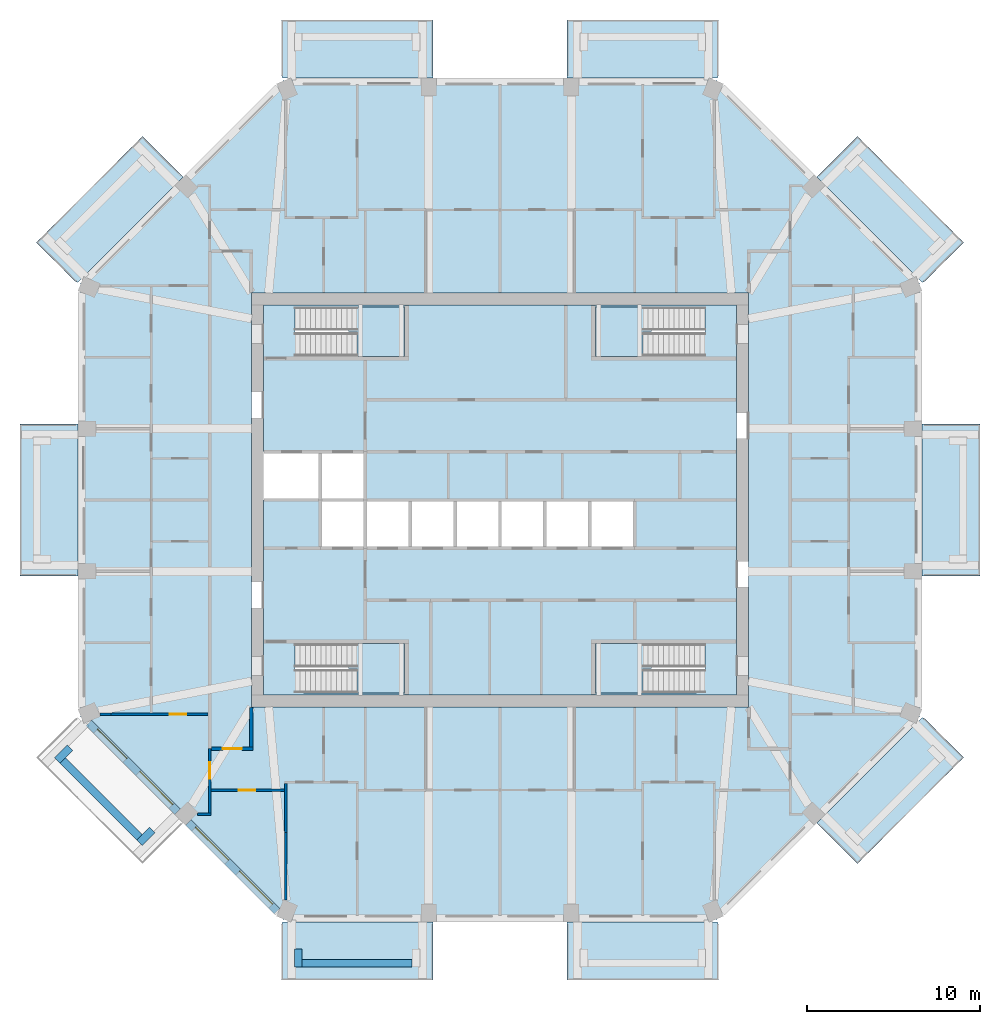
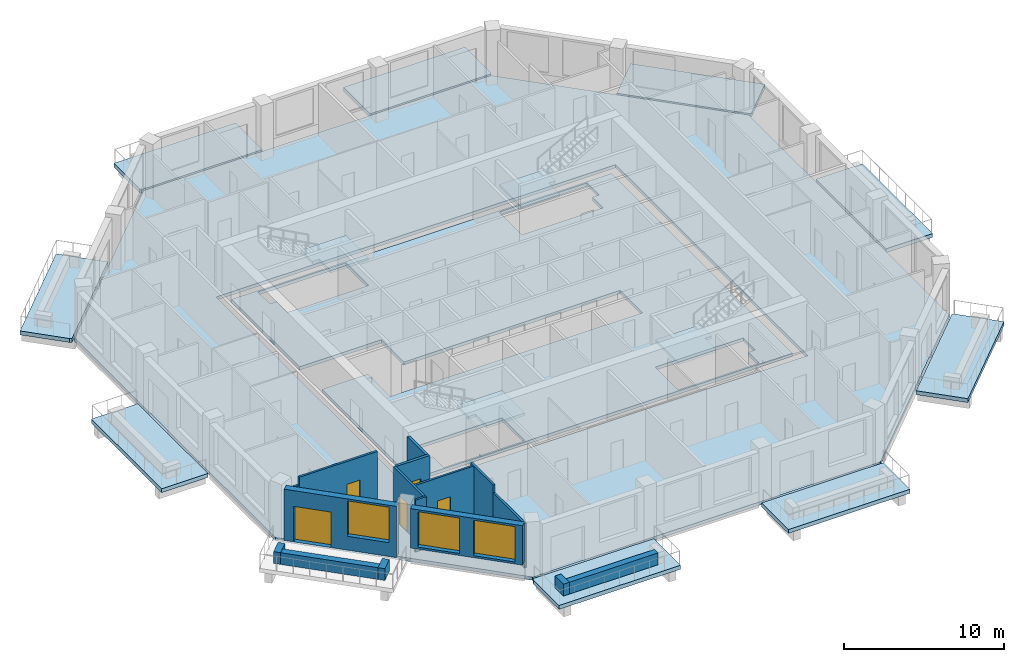
# One storey, part 2 of 12: 16 walls, 15 slabs, 5 doors, 3 windows, 8 openings, 4 elements without a shape of their own.
"""IFC4 building model written with IfcOpenShell, lengths in metres."""

from ifc_helpers import new_model, si_unit, direction, frame, frame_2d, origin, place, context, subcontext, project, spatial, polyline, rectangle, outline, extrude, material, layer, layer_set, type_object, element, fill, aggregate, save


model = new_model("IFC4")

# Units and contexts
model_context = context("Model", 3, precision=1e-05, world=origin(), true_north=direction((0.0, 1.0)))
body_context = subcontext(model_context, "Body", "Model", "MODEL_VIEW")
ifc_project = project(units=[si_unit("LENGTHUNIT", "METRE"), si_unit("AREAUNIT", "SQUARE_METRE"), si_unit("VOLUMEUNIT", "CUBIC_METRE"), si_unit("PLANEANGLEUNIT", "RADIAN"), si_unit("MASSUNIT", "GRAM", prefix="KILO")], contexts=[model_context])

# Site, building, storey
site_placement = place(None, origin())
site = spatial("IfcSite", under=ifc_project, at=site_placement, CompositionType="ELEMENT")
building_placement = place(site_placement, origin())
building = spatial("IfcBuilding", under=site, at=building_placement, Name="Msitu Wima Residences", CompositionType="ELEMENT")
storey_placement = place(building_placement, frame((0.0, 0.0, 183.300048828125)))
storey = spatial("IfcBuildingStorey", under=building, at=storey_placement, Name="L42", CompositionType="ELEMENT", Elevation=183.300048828125)

# Slabs
ifc_material_1 = material(Name="Concrete C40/50", Category="concrete")
ifc_layer_1 = layer(ifc_material_1, 0.300048828125)
ifc_layer_set_1 = layer_set([ifc_layer_1], Name="Concrete C40/50")
slab_type_1 = type_object("IfcSlabType", Name="Balcony slab BS300", PredefinedType="FLOOR", material=ifc_layer_set_1)
slab_1_placement = place(storey_placement, frame((0.0, 0.0, -0.300048828125)))
element("IfcSlab", 1, at=slab_1_placement, inside=storey, type_object=slab_type_1, Name="Balcony E1 L42", PredefinedType="FLOOR", context=body_context, shape_type="SweptSolid", body=[
    extrude(outline(polyline([(24.449951171875, 3.687255859375), (24.449951171875, 4.38720703125), (27.800048828125, 4.38720703125), (27.800048828125, -4.38720703125), (24.449951171875, -4.38720703125), (24.449951171875, -3.687255859375), (24.449951171875, -3.687255859375), (24.449951171875, 3.687255859375)])), origin(), (0.0, 0.0, 1.0), 0.300048828125),
])
slab_2_placement = place(storey_placement, frame((0.0, 0.0, -0.300048828125)))
element("IfcSlab", 2, at=slab_2_placement, inside=storey, type_object=slab_type_1, Name="Balcony NE0 L42", PredefinedType="FLOOR", context=body_context, shape_type="SweptSolid", body=[
    extrude(outline(polyline([(24.10546875, 12.942626953125), (24.10546875, 12.942626953125), (18.347412109375, 18.700927734375), (20.716064453125, 21.069580078125), (26.86376953125, 14.922119140625), (24.603515625, 12.661865234375), (24.449951171875, 12.59814453125), (24.10546875, 12.942626953125), (24.10546875, 12.942626953125)])), origin(), (0.0, 0.0, 1.0), 0.300048828125),
])
slab_3_placement = place(storey_placement, frame((0.0, 0.0, -0.300048828125)))
element("IfcSlab", 3, at=slab_3_placement, inside=storey, type_object=slab_type_1, Name="Balcony N0 L42", PredefinedType="FLOOR", context=body_context, shape_type="SweptSolid", body=[
    extrude(outline(polyline([(12.111083984375, 24.449951171875), (12.111083984375, 24.449951171875), (4.587158203125, 24.449951171875), (3.88720703125, 24.449951171875), (3.88720703125, 27.800048828125), (12.661865234375, 27.800048828125), (12.661865234375, 24.603515625), (12.59814453125, 24.449951171875), (12.111083984375, 24.449951171875), (12.111083984375, 24.449951171875)])), origin(), (0.0, 0.0, 1.0), 0.300048828125),
])
slab_4_placement = place(storey_placement, frame((0.0, 0.0, -0.300048828125)))
element("IfcSlab", 4, at=slab_4_placement, inside=storey, type_object=slab_type_1, Name="Balcony N2 L42", PredefinedType="FLOOR", context=body_context, shape_type="SweptSolid", body=[
    extrude(outline(polyline([(-12.111083984375, 24.449951171875), (-12.111083984375, 24.449951171875), (-12.111083984375, 24.449951171875), (-12.59814453125, 24.449951171875), (-12.661865234375, 24.603515625), (-12.661865234375, 27.800048828125), (-3.88720703125, 27.800048828125), (-3.88720703125, 24.449951171875), (-4.587158203125, 24.449951171875), (-12.111083984375, 24.449951171875)])), origin(), (0.0, 0.0, 1.0), 0.300048828125),
])
slab_5_placement = place(storey_placement, frame((0.0, 0.0, -0.300048828125)))
element("IfcSlab", 5, at=slab_5_placement, inside=storey, type_object=slab_type_1, Name="Balcony NW1 L42", PredefinedType="FLOOR", context=body_context, shape_type="SweptSolid", body=[
    extrude(outline(polyline([(-24.10546875, 12.942626953125), (-24.10546875, 12.942626953125), (-24.449951171875, 12.59814453125), (-24.603515625, 12.661865234375), (-26.86376953125, 14.922119140625), (-20.716064453125, 21.069580078125), (-18.347412109375, 18.700927734375), (-24.10546875, 12.942626953125), (-24.10546875, 12.942626953125)])), origin(), (0.0, 0.0, 1.0), 0.300048828125),
])
slab_6_placement = place(storey_placement, frame((0.0, 0.0, -0.300048828125)))
element("IfcSlab", 6, at=slab_6_placement, inside=storey, type_object=slab_type_1, Name="Balcony W1 L42", PredefinedType="FLOOR", context=body_context, shape_type="SweptSolid", body=[
    extrude(outline(polyline([(-24.449951171875, 3.687255859375), (-24.449951171875, -3.687255859375), (-24.449951171875, -3.687255859375), (-24.449951171875, -4.38720703125), (-27.800048828125, -4.38720703125), (-27.800048828125, 4.38720703125), (-24.449951171875, 4.38720703125), (-24.449951171875, 3.687255859375)])), origin(), (0.0, 0.0, 1.0), 0.300048828125),
])
slab_7_placement = place(storey_placement, frame((0.0, 0.0, -0.300048828125)))
element("IfcSlab", 7, at=slab_7_placement, inside=storey, type_object=slab_type_1, Name="Balcony S0 L42", PredefinedType="FLOOR", context=body_context, shape_type="SweptSolid", body=[
    extrude(outline(polyline([(-12.111083984375, -24.449951171875), (-12.111083984375, -24.449951171875), (-4.587158203125, -24.449951171875), (-3.88720703125, -24.449951171875), (-3.88720703125, -27.800048828125), (-12.661865234375, -27.800048828125), (-12.661865234375, -24.603515625), (-12.59814453125, -24.449951171875), (-12.111083984375, -24.449951171875), (-12.111083984375, -24.449951171875)])), origin(), (0.0, 0.0, 1.0), 0.300048828125),
])
slab_8_placement = place(storey_placement, frame((0.0, 0.0, -0.300048828125)))
element("IfcSlab", 8, at=slab_8_placement, inside=storey, type_object=slab_type_1, Name="Balcony S2 L42", PredefinedType="FLOOR", context=body_context, shape_type="SweptSolid", body=[
    extrude(outline(polyline([(12.111083984375, -24.449951171875), (12.111083984375, -24.449951171875), (12.111083984375, -24.449951171875), (12.59814453125, -24.449951171875), (12.661865234375, -24.603515625), (12.661865234375, -27.800048828125), (3.88720703125, -27.800048828125), (3.88720703125, -24.449951171875), (4.587158203125, -24.449951171875), (12.111083984375, -24.449951171875)])), origin(), (0.0, 0.0, 1.0), 0.300048828125),
])
slab_9_placement = place(storey_placement, frame((0.0, 0.0, -0.300048828125)))
element("IfcSlab", 9, at=slab_9_placement, inside=storey, type_object=slab_type_1, Name="Balcony SE1 L42", PredefinedType="FLOOR", context=body_context, shape_type="SweptSolid", body=[
    extrude(outline(polyline([(24.10546875, -12.942626953125), (24.10546875, -12.942626953125), (24.449951171875, -12.59814453125), (24.603515625, -12.661865234375), (26.86376953125, -14.922119140625), (20.716064453125, -21.069580078125), (18.347412109375, -18.700927734375), (24.10546875, -12.942626953125), (24.10546875, -12.942626953125)])), origin(), (0.0, 0.0, 1.0), 0.300048828125),
])
ifc_layer_2 = layer(ifc_material_1, 0.25)
ifc_layer_set_2 = layer_set([ifc_layer_2], Name="Concrete C40/50")
slab_type_2 = type_object("IfcSlabType", Name="Core floor CF250", PredefinedType="FLOOR", material=ifc_layer_set_2)
slab_10_placement = place(storey_placement, frame((0.0, 0.0, -0.25)))
element("IfcSlab", 10, at=slab_10_placement, inside=storey, type_object=slab_type_2, Name="Core floor", PredefinedType="FLOOR", context=body_context, shape_type="SweptSolid", body=[
    extrude(outline(polyline([(-13.699951171875, 11.300048828125), (-13.699951171875, 2.800048828125), (-10.39990234375, 2.800048828125), (-7.800048828125, 2.800048828125), (-7.800048828125, 0.0), (-5.199951171875, 0.0), (-2.60009765625, 0.0), (0.0, 0.0), (2.60009765625, 0.0), (5.199951171875, 0.0), (7.800048828125, 0.0), (7.800048828125, -2.800048828125), (5.199951171875, -2.800048828125), (2.60009765625, -2.800048828125), (0.0, -2.800048828125), (-2.60009765625, -2.800048828125), (-5.199951171875, -2.800048828125), (-7.800048828125, -2.800048828125), (-10.39990234375, -2.800048828125), (-10.39990234375, 0.0), (-13.699951171875, 0.0), (-13.699951171875, -11.300048828125), (13.699951171875, -11.300048828125), (13.699951171875, 11.300048828125), (-13.699951171875, 11.300048828125)]), holes=[polyline([(-11.375, -11.175048828125), (-11.375, -9.824951171875), (-11.87451171875, -9.824951171875), (-11.87451171875, -8.324951171875), (-5.52490234375, -8.324951171875), (-5.52490234375, -11.175048828125), (-11.375, -11.175048828125)]), polyline([(-11.375, 8.324951171875), (-11.375, 9.675048828125), (-11.87451171875, 9.675048828125), (-11.87451171875, 11.175048828125), (-5.52490234375, 11.175048828125), (-5.52490234375, 8.324951171875), (-11.375, 8.324951171875)]), polyline([(11.375, -9.824951171875), (11.375, -11.175048828125), (5.52490234375, -11.175048828125), (5.52490234375, -8.324951171875), (11.87451171875, -8.324951171875), (11.87451171875, -9.824951171875), (11.375, -9.824951171875)]), polyline([(11.375, 9.675048828125), (11.375, 8.324951171875), (5.52490234375, 8.324951171875), (5.52490234375, 11.175048828125), (11.87451171875, 11.175048828125), (11.87451171875, 9.675048828125), (11.375, 9.675048828125)])]), origin(), (0.0, 0.0, 1.0), 0.25),
])
ifc_layer_3 = layer(ifc_material_1, 0.25)
ifc_layer_set_3 = layer_set([ifc_layer_3], Name="Concrete C40/50")
slab_type_3 = type_object("IfcSlabType", Name="PT flat slab 250 Concrete C40/50", PredefinedType="FLOOR", material=ifc_layer_set_3)
slab_11_placement = place(storey_placement, frame((0.0, 0.0, -0.25)))
element("IfcSlab", 11, at=slab_11_placement, inside=storey, type_object=slab_type_3, Name="Floor slab L42", PredefinedType="FLOOR", context=body_context, shape_type="SweptSolid", body=[
    extrude(outline(polyline([(24.300048828125, -12.5361328125), (12.5361328125, -24.300048828125), (-12.5361328125, -24.300048828125), (-24.300048828125, -12.5361328125), (-24.300048828125, 12.5361328125), (-12.5361328125, 24.300048828125), (12.5361328125, 24.300048828125), (24.300048828125, 12.5361328125), (24.300048828125, -12.5361328125)]), holes=[polyline([(-14.39990234375, -12.0), (14.39990234375, -12.0), (14.39990234375, 12.0), (-14.39990234375, 12.0), (-14.39990234375, -12.0)])]), origin(), (0.0, 0.0, 1.0), 0.25),
])

# Stair, slab
stair_type = type_object("IfcStairType", Name="Exit stair ES1615-135", PredefinedType="HALF_TURN_STAIR", material=ifc_material_1)
stair_1_placement = place(storey_placement, origin())
stair_1 = element("IfcStair", 12, at=stair_1_placement, inside=storey, type_object=stair_type, Name="Exit stair 1", PredefinedType="HALF_TURN_STAIR")
ifc_layer_4 = layer(ifc_material_1, 0.199951171875)
ifc_layer_set_4 = layer_set([ifc_layer_4], Name="Concrete C40/50")
slab_type_4 = type_object("IfcSlabType", Name="Stair landing SL200", PredefinedType="LANDING", material=ifc_layer_set_4)
slab_12_placement = place(storey_placement, frame((0.0, 0.0, 1.89990234375)))
slab_12 = element("IfcSlab", 13, at=slab_12_placement, type_object=slab_type_4, Name="S1 landing 1", PredefinedType="LANDING", context=body_context, shape_type="SweptSolid", body=[
    extrude(outline(polyline([(-5.52490234375, 8.324951171875), (-8.275390625, 8.324951171875), (-8.275390625, 9.75), (-8.77490234375, 9.75), (-8.77490234375, 11.175048828125), (-5.52490234375, 11.175048828125), (-5.52490234375, 8.324951171875)])), origin(), (0.0, 0.0, 1.0), 0.199951171875),
])
aggregate(stair_1, [slab_12])

stair_2_placement = place(storey_placement, origin())
stair_2 = element("IfcStair", 14, at=stair_2_placement, inside=storey, type_object=stair_type, Name="Exit stair 2", PredefinedType="HALF_TURN_STAIR")
slab_13_placement = place(storey_placement, frame((0.0, 0.0, 1.89990234375)))
slab_13 = element("IfcSlab", 15, at=slab_13_placement, type_object=slab_type_4, Name="S2 landing 1", PredefinedType="LANDING", context=body_context, shape_type="SweptSolid", body=[
    extrude(outline(polyline([(-5.52490234375, -11.175048828125), (-8.275390625, -11.175048828125), (-8.275390625, -9.75), (-8.77490234375, -9.75), (-8.77490234375, -8.324951171875), (-5.52490234375, -8.324951171875), (-5.52490234375, -11.175048828125)])), origin(), (0.0, 0.0, 1.0), 0.199951171875),
])
aggregate(stair_2, [slab_13])

stair_3_placement = place(storey_placement, origin())
stair_3 = element("IfcStair", 16, at=stair_3_placement, inside=storey, type_object=stair_type, Name="Exit stair 3", PredefinedType="HALF_TURN_STAIR")
slab_14_placement = place(storey_placement, frame((0.0, 0.0, 1.89990234375)))
slab_14 = element("IfcSlab", 17, at=slab_14_placement, type_object=slab_type_4, Name="S3 landing 1", PredefinedType="LANDING", context=body_context, shape_type="SweptSolid", body=[
    extrude(outline(polyline([(5.52490234375, 8.324951171875), (8.275390625, 8.324951171875), (8.275390625, 9.75), (8.77490234375, 9.75), (8.77490234375, 11.175048828125), (5.52490234375, 11.175048828125), (5.52490234375, 8.324951171875)])), origin(), (0.0, 0.0, 1.0), 0.199951171875),
])
aggregate(stair_3, [slab_14])

stair_4_placement = place(storey_placement, origin())
stair_4 = element("IfcStair", 18, at=stair_4_placement, inside=storey, type_object=stair_type, Name="Exit stair 4", PredefinedType="HALF_TURN_STAIR")
slab_15_placement = place(storey_placement, frame((0.0, 0.0, 1.89990234375)))
slab_15 = element("IfcSlab", 19, at=slab_15_placement, type_object=slab_type_4, Name="S4 landing 1", PredefinedType="LANDING", context=body_context, shape_type="SweptSolid", body=[
    extrude(outline(polyline([(5.52490234375, -11.175048828125), (8.275390625, -11.175048828125), (8.275390625, -9.75), (8.77490234375, -9.75), (8.77490234375, -8.324951171875), (5.52490234375, -8.324951171875), (5.52490234375, -11.175048828125)])), origin(), (0.0, 0.0, 1.0), 0.199951171875),
])
aggregate(stair_4, [slab_15])

# Walls
ifc_material_2 = material(Name="Facing brick")
ifc_layer_5 = layer(ifc_material_2, 0.06494140625, Name="Facing brick")
ifc_layer_6 = layer(ifc_material_1, 0.156005859375, Name="Concrete C40/50")
ifc_material_3 = material(Name="Waterproofing membrane")
ifc_layer_7 = layer(ifc_material_3, 0.00390625, Name="Waterproofing membrane")
ifc_material_4 = material(Name="Planting soil and planting")
ifc_layer_8 = layer(ifc_material_4, 0.22509765625, Name="Planting soil and planting")
ifc_layer_set_5 = layer_set([ifc_layer_5, ifc_layer_6, ifc_layer_7, ifc_layer_8], Name="Concrete C40/50")
wall_type_1 = type_object("IfcWallType", Name="Balcony planter PLANTER PL450", PredefinedType="USERDEFINED", material=ifc_layer_set_5)
wall_1_placement = place(storey_placement, frame((-25.325927734375, -15.0810546875, 0.0), z_axis=(0.0, 0.0, 1.0), x_axis=(0.707106781187, -0.707106781187, 0.0)))
element("IfcWall", 20, at=wall_1_placement, inside=storey, type_object=wall_type_1, Name="Balcony planter SW0 L42", ObjectType="PLANTER", PredefinedType="USERDEFINED", context=body_context, shape_type="SweptSolid", body=[
    extrude(rectangle(XDim=6.294189453125, YDim=0.449951171875, at=frame_2d((3.14697265625, 0.0))), origin(), (0.0, 0.0, 1.0), 0.89990234375),
])
for number, where, z_axis, x_axis, name in (
    (21, (-24.901611328125, -14.338623046875, 0.0), (0.0, 0.0, 1.0), (-0.707106781187, -0.707106781187, 0.0), "Balcony planter SW0 L42"),
    (22, (-20.1328125, -19.107421875, 0.0), (0.0, 0.0, 1.0), (-0.707106781187, -0.707106781187, 0.0), "Balcony planter SW0 L42"),
):
    element("IfcWall", number, at=place(storey_placement, frame(where, z_axis=z_axis, x_axis=x_axis)), inside=storey, type_object=wall_type_1, Name=name, ObjectType="PLANTER", PredefinedType="USERDEFINED", context=body_context, shape_type="SweptSolid", body=[
        extrude(rectangle(XDim=1.050048828125, YDim=0.449951171875, at=frame_2d((0.52490234375, 0.0))), origin(), (0.0, 0.0, 1.0), 0.89990234375),
    ])
wall_2_placement = place(storey_placement, frame((-11.461669921875, -26.824951171875, 0.0), z_axis=(0.0, 0.0, 1.0), x_axis=(1.0, 0.0, 0.0)))
element("IfcWall", 23, at=wall_2_placement, inside=storey, type_object=wall_type_1, Name="Balcony planter S0 L42", ObjectType="PLANTER", PredefinedType="USERDEFINED", context=body_context, shape_type="SweptSolid", body=[
    extrude(rectangle(XDim=6.37451171875, YDim=0.449951171875, at=frame_2d((3.187255859375, 0.0))), origin(), (0.0, 0.0, 1.0), 0.89990234375),
])
wall_3_placement = place(storey_placement, frame((-11.686767578125, -26.0, 0.0), z_axis=(0.0, 0.0, 1.0), x_axis=(0.0, -1.0, 0.0)))
element("IfcWall", 24, at=wall_3_placement, inside=storey, type_object=wall_type_1, Name="Balcony planter S0 L42", ObjectType="PLANTER", PredefinedType="USERDEFINED", context=body_context, shape_type="SweptSolid", body=[
    extrude(rectangle(XDim=1.050048828125, YDim=0.449951171875, at=frame_2d((0.52490234375, 0.0))), origin(), (0.0, 0.0, 1.0), 0.89990234375),
])

# Wall, openings, door, window
ifc_material_5 = material(Name="Brick (red buff mix)", Category="masonry")
ifc_layer_9 = layer(ifc_material_5, 0.449951171875)
ifc_layer_set_6 = layer_set([ifc_layer_9], Name="Brick (red buff mix)")
wall_type_2 = type_object("IfcWallType", Name="Brick infill wall BW450", PredefinedType="SOLIDWALL", material=ifc_layer_set_6)
wall_4_placement = place(storey_placement, frame((-23.814697265625, -12.915283203125, 0.0), z_axis=(0.0, 0.0, 1.0), x_axis=(0.707106781187, -0.707106781187, 0.0)))
wall_4 = element("IfcWall", 25, at=wall_4_placement, inside=storey, type_object=wall_type_2, Name="Brick infill wall L42 SW0", PredefinedType="SOLIDWALL", context=body_context, shape_type="SweptSolid", body=[
    extrude(rectangle(XDim=7.257080078125, YDim=0.449951171875, at=frame_2d((3.62841796875, 0.0))), origin(), (0.0, 0.0, 1.0), 3.89990234375),
])
opening_1_placement = place(wall_4_placement, frame((0.6142578125, 0.0, 0.0)))
opening_1 = element("IfcOpeningElement", 26, at=opening_1_placement, cuts=wall_4, Name="Opening D40-42.009", PredefinedType="OPENING", context=body_context, shape_type="SweptSolid", body=[
    extrude(rectangle(XDim=2.39990234375, YDim=2.699951171875, at=frame_2d((1.199951171875, 1.35009765625))), frame((0.0, 0.23486328125, 0.0), z_axis=(0.0, -1.0, 0.0), x_axis=(1.0, 0.0, 0.0)), (0.0, 0.0, 1.0), 0.469970703125),
])
opening_2_placement = place(wall_4_placement, frame((4.07861328125, 0.0, 1.050048828125)))
opening_2 = element("IfcOpeningElement", 27, at=opening_2_placement, cuts=wall_4, Name="Opening W40-42.023", PredefinedType="OPENING", context=body_context, shape_type="SweptSolid", body=[
    extrude(rectangle(XDim=2.699951171875, YDim=2.699951171875, at=frame_2d((1.35009765625, 1.35009765625))), frame((0.0, 0.23486328125, 0.0), z_axis=(0.0, -1.0, 0.0), x_axis=(1.0, 0.0, 0.0)), (0.0, 0.0, 1.0), 0.469970703125),
])
ifc_material_6 = material(Name="Anodised aluminium, bronze finish, clear low-emissivity double glazing", Category="aluminium")
door_type_1 = type_object("IfcDoorType", Name="Balcony door D2400x2700", OperationType="SLIDING_TO_LEFT", PredefinedType="DOOR", material=ifc_material_6)
door_1_placement = place(opening_1_placement, origin())
door_1 = element("IfcDoor", 28, at=door_1_placement, inside=storey, type_object=door_type_1, Name="Balcony door L42 SW0", OperationType="SINGLE_SWING_LEFT", OverallHeight=2.699951171875, OverallWidth=2.39990234375, PredefinedType="DOOR", context=body_context, shape_type="SweptSolid", body=[
    extrude(rectangle(XDim=2.39990234375, YDim=2.699951171875, at=frame_2d((1.199951171875, 1.35009765625))), frame((0.0, 0.1298828125, 0.0), z_axis=(0.0, -1.0, 0.0), x_axis=(1.0, 0.0, 0.0)), (0.0, 0.0, 1.0), 0.050048828125),
])
fill(opening_1, door_1)
window_type = type_object("IfcWindowType", Name="Window W2700x2700", PartitioningType="DOUBLE_PANEL_VERTICAL", PredefinedType="WINDOW", material=ifc_material_6)
window_1_placement = place(opening_2_placement, origin())
window_1 = element("IfcWindow", 29, at=window_1_placement, inside=storey, type_object=window_type, Name="Window L42 SW0.2", OverallHeight=2.699951171875, OverallWidth=2.699951171875, PartitioningType="SINGLE_PANEL", PredefinedType="WINDOW", context=body_context, shape_type="SweptSolid", body=[
    extrude(rectangle(XDim=2.699951171875, YDim=2.699951171875, at=frame_2d((1.35009765625, 1.35009765625))), frame((0.0, 0.135009765625, 0.0), z_axis=(0.0, -1.0, 0.0), x_axis=(1.0, 0.0, 0.0)), (0.0, 0.0, 1.0), 0.06005859375),
])
fill(opening_2, window_1)

# Wall, openings, windows
wall_5_placement = place(storey_placement, frame((-18.046875, -18.68310546875, 0.89990234375), z_axis=(0.0, 0.0, 1.0), x_axis=(0.707106781187, -0.707106781187, 0.0)))
wall_5 = element("IfcWall", 30, at=wall_5_placement, inside=storey, type_object=wall_type_2, Name="Brick infill wall L42 SW1", PredefinedType="SOLIDWALL", context=body_context, shape_type="SweptSolid", body=[
    extrude(rectangle(XDim=7.257080078125, YDim=0.449951171875, at=frame_2d((3.62841796875, 0.0))), origin(), (0.0, 0.0, 1.0), 3.0),
])
opening_3_placement = place(wall_5_placement, frame((0.478515625, 0.0, 0.14990234375)))
opening_3 = element("IfcOpeningElement", 31, at=opening_3_placement, cuts=wall_5, Name="Opening W40-42.024", PredefinedType="OPENING", context=body_context, shape_type="SweptSolid", body=[
    extrude(rectangle(XDim=2.699951171875, YDim=2.699951171875, at=frame_2d((1.35009765625, 1.35009765625))), frame((0.0, 0.23486328125, 0.0), z_axis=(0.0, -1.0, 0.0), x_axis=(1.0, 0.0, 0.0)), (0.0, 0.0, 1.0), 0.469970703125),
])
opening_4_placement = place(wall_5_placement, frame((4.07861328125, 0.0, 0.14990234375)))
opening_4 = element("IfcOpeningElement", 32, at=opening_4_placement, cuts=wall_5, Name="Opening W40-42.025", PredefinedType="OPENING", context=body_context, shape_type="SweptSolid", body=[
    extrude(rectangle(XDim=2.699951171875, YDim=2.699951171875, at=frame_2d((1.35009765625, 1.35009765625))), frame((0.0, 0.23486328125, 0.0), z_axis=(0.0, -1.0, 0.0), x_axis=(1.0, 0.0, 0.0)), (0.0, 0.0, 1.0), 0.469970703125),
])
window_2_placement = place(opening_3_placement, origin())
window_2 = element("IfcWindow", 33, at=window_2_placement, inside=storey, type_object=window_type, Name="Window L42 SW1.1", OverallHeight=2.699951171875, OverallWidth=2.699951171875, PartitioningType="SINGLE_PANEL", PredefinedType="WINDOW", context=body_context, shape_type="SweptSolid", body=[
    extrude(rectangle(XDim=2.699951171875, YDim=2.699951171875, at=frame_2d((1.35009765625, 1.35009765625))), frame((0.0, 0.135009765625, 0.0), z_axis=(0.0, -1.0, 0.0), x_axis=(1.0, 0.0, 0.0)), (0.0, 0.0, 1.0), 0.06005859375),
])
fill(opening_3, window_2)
window_3_placement = place(opening_4_placement, origin())
window_3 = element("IfcWindow", 34, at=window_3_placement, inside=storey, type_object=window_type, Name="Window L42 SW1.2", OverallHeight=2.699951171875, OverallWidth=2.699951171875, PartitioningType="SINGLE_PANEL", PredefinedType="WINDOW", context=body_context, shape_type="SweptSolid", body=[
    extrude(rectangle(XDim=2.699951171875, YDim=2.699951171875, at=frame_2d((1.35009765625, 1.35009765625))), frame((0.0, 0.135009765625, 0.0), z_axis=(0.0, -1.0, 0.0), x_axis=(1.0, 0.0, 0.0)), (0.0, 0.0, 1.0), 0.06005859375),
])
fill(opening_4, window_3)

# Wall, opening, door
ifc_material_7 = material(Name="Plaster")
ifc_layer_10 = layer(ifc_material_7, 0.011962890625, Name="Plaster")
ifc_material_8 = material(Name="Concrete blockwork", Category="masonry")
ifc_layer_11 = layer(ifc_material_8, 0.176025390625, Name="Concrete blockwork")
ifc_layer_12 = layer(ifc_material_7, 0.011962890625, Name="Plaster")
ifc_layer_set_7 = layer_set([ifc_layer_10, ifc_layer_11, ifc_layer_12], Name="Concrete blockwork")
wall_type_3 = type_object("IfcWallType", Name="Corridor wall FW200", PredefinedType="PARTITIONING", material=ifc_layer_set_7)
wall_6_placement = place(storey_placement, frame((-16.699951171875, -14.39990234375, 0.0), z_axis=(0.0, 0.0, 1.0), x_axis=(1.0, 0.0, 0.0)))
wall_6 = element("IfcWall", 35, at=wall_6_placement, inside=storey, type_object=wall_type_3, Name="Corridor wall", PredefinedType="PARTITIONING", context=body_context, shape_type="SweptSolid", body=[
    extrude(rectangle(XDim=2.39990234375, YDim=0.199951171875, at=frame_2d((1.199951171875, 0.0))), origin(), (0.0, 0.0, 1.0), 3.949951171875),
])
opening_5_placement = place(wall_6_placement, frame((0.64990234375, 0.0, 0.0)))
opening_5 = element("IfcOpeningElement", 36, at=opening_5_placement, cuts=wall_6, Name="Opening D40-42.039", PredefinedType="OPENING", context=body_context, shape_type="SweptSolid", body=[
    extrude(rectangle(XDim=1.10009765625, YDim=2.39990234375, at=frame_2d((0.550048828125, 1.199951171875))), frame((0.0, 0.10986328125, 0.0), z_axis=(0.0, -1.0, 0.0), x_axis=(1.0, 0.0, 0.0)), (0.0, 0.0, 1.0), 0.219970703125),
])
ifc_material_9 = material(Name="Timber flush door, fire resisting, self-closing", Category="wood")
door_type_2 = type_object("IfcDoorType", Name="Flat entrance door D01 1100x2400", OperationType="SINGLE_SWING_LEFT", PredefinedType="DOOR", material=ifc_material_9)
door_2_placement = place(opening_5_placement, origin())
door_2 = element("IfcDoor", 37, at=door_2_placement, inside=storey, type_object=door_type_2, Name="Flat entrance door", OperationType="SINGLE_SWING_RIGHT", OverallHeight=2.39990234375, OverallWidth=1.10009765625, PredefinedType="DOOR", context=body_context, shape_type="SweptSolid", body=[
    extrude(rectangle(XDim=1.10009765625, YDim=2.39990234375, at=frame_2d((0.550048828125, 1.199951171875))), frame((0.0, 0.02490234375, 0.0), z_axis=(0.0, -1.0, 0.0), x_axis=(1.0, 0.0, 0.0)), (0.0, 0.0, 1.0), 0.050048828125),
])
fill(opening_5, door_2)

# Walls
wall_7_placement = place(storey_placement, frame((-14.39990234375, -14.300048828125, 0.0), z_axis=(0.0, 0.0, 1.0), x_axis=(0.0, 1.0, 0.0)))
element("IfcWall", 38, at=wall_7_placement, inside=storey, type_object=wall_type_3, Name="Corridor wall", PredefinedType="PARTITIONING", context=body_context, shape_type="SweptSolid", body=[
    extrude(rectangle(XDim=2.27001953125, YDim=0.199951171875, at=frame_2d((1.135009765625, 0.0))), origin(), (0.0, 0.0, 1.0), 3.949951171875),
])
ifc_layer_13 = layer(ifc_material_7, 0.011962890625, Name="Plaster")
ifc_layer_14 = layer(ifc_material_8, 0.1259765625, Name="Concrete blockwork")
ifc_layer_15 = layer(ifc_material_7, 0.011962890625, Name="Plaster")
ifc_layer_set_8 = layer_set([ifc_layer_13, ifc_layer_14, ifc_layer_15], Name="Concrete blockwork")
wall_type_4 = type_object("IfcWallType", Name="Partition PW150", PredefinedType="PARTITIONING", material=ifc_layer_set_8)
wall_8_placement = place(storey_placement, frame((-23.1689453125, -12.411865234375, 0.0), z_axis=(0.0, 0.0, 1.0), x_axis=(1.0, 0.0, 0.0)))
element("IfcWall", 39, at=wall_8_placement, inside=storey, type_object=wall_type_4, Name="Partition", PredefinedType="PARTITIONING", context=body_context, shape_type="SweptSolid", body=[
    extrude(rectangle(XDim=0.630615234375, YDim=0.14990234375, at=frame_2d((0.3154296875, 0.0))), origin(), (0.0, 0.0, 1.0), 3.349853515625),
])

# Wall, opening, door
wall_9_placement = place(storey_placement, frame((-22.538330078125, -12.411865234375, 0.0), z_axis=(0.0, 0.0, 1.0), x_axis=(1.0, 0.0, 0.0)))
wall_9 = element("IfcWall", 40, at=wall_9_placement, inside=storey, type_object=wall_type_4, Name="Partition", PredefinedType="PARTITIONING", context=body_context, shape_type="SweptSolid", body=[
    extrude(rectangle(XDim=5.638427734375, YDim=0.14990234375, at=frame_2d((2.8193359375, 0.0))), origin(), (0.0, 0.0, 1.0), 3.949951171875),
])
opening_6_placement = place(wall_9_placement, frame((3.41943359375, 0.0, 0.0)))
opening_6 = element("IfcOpeningElement", 41, at=opening_6_placement, cuts=wall_9, Name="Opening D40-42.049", PredefinedType="OPENING", context=body_context, shape_type="SweptSolid", body=[
    extrude(rectangle(XDim=0.949951171875, YDim=2.199951171875, at=frame_2d((0.47509765625, 1.10009765625))), frame((0.0, 0.0849609375, 0.0), z_axis=(0.0, -1.0, 0.0), x_axis=(1.0, 0.0, 0.0)), (0.0, 0.0, 1.0), 0.169921875),
])
ifc_material_10 = material(Name="Timber flush door", Category="wood")
door_type_3 = type_object("IfcDoorType", Name="Room door D12 950x2200", OperationType="SINGLE_SWING_LEFT", PredefinedType="DOOR", material=ifc_material_10)
door_3_placement = place(opening_6_placement, origin())
door_3 = element("IfcDoor", 42, at=door_3_placement, inside=storey, type_object=door_type_3, Name="Room door", OperationType="SINGLE_SWING_LEFT", OverallHeight=2.199951171875, OverallWidth=0.949951171875, PredefinedType="DOOR", context=body_context, shape_type="SweptSolid", body=[
    extrude(rectangle(XDim=0.949951171875, YDim=2.199951171875, at=frame_2d((0.47509765625, 1.10009765625))), frame((0.0, 0.02490234375, 0.0), z_axis=(0.0, -1.0, 0.0), x_axis=(1.0, 0.0, 0.0)), (0.0, 0.0, 1.0), 0.050048828125),
])
fill(opening_6, door_3)

# Wall
wall_10_placement = place(storey_placement, frame((-17.509521484375, -18.205810546875, 0.0), z_axis=(0.0, 0.0, 1.0), x_axis=(1.0, 0.0, 0.0)))
element("IfcWall", 43, at=wall_10_placement, inside=storey, type_object=wall_type_4, Name="Partition", PredefinedType="PARTITIONING", context=body_context, shape_type="SweptSolid", body=[
    extrude(rectangle(XDim=0.784423828125, YDim=0.14990234375, at=frame_2d((0.39208984375, 0.0))), origin(), (0.0, 0.0, 1.0), 3.949951171875),
])

# Wall, opening, door
wall_11_placement = place(storey_placement, frame((-16.800048828125, -18.130859375, 0.0), z_axis=(0.0, 0.0, 1.0), x_axis=(0.0, 1.0, 0.0)))
wall_11 = element("IfcWall", 44, at=wall_11_placement, inside=storey, type_object=wall_type_4, Name="Partition", PredefinedType="PARTITIONING", context=body_context, shape_type="SweptSolid", body=[
    extrude(rectangle(XDim=3.73095703125, YDim=0.14990234375, at=frame_2d((1.865478515625, 0.0))), origin(), (0.0, 0.0, 1.0), 3.949951171875),
])
opening_7_placement = place(wall_11_placement, frame((2.0, 0.0, 0.0)))
opening_7 = element("IfcOpeningElement", 45, at=opening_7_placement, cuts=wall_11, Name="Opening D40-42.047", PredefinedType="OPENING", context=body_context, shape_type="SweptSolid", body=[
    extrude(rectangle(XDim=0.949951171875, YDim=2.199951171875, at=frame_2d((0.47509765625, 1.10009765625))), frame((0.0, 0.0849609375, 0.0), z_axis=(0.0, -1.0, 0.0), x_axis=(1.0, 0.0, 0.0)), (0.0, 0.0, 1.0), 0.169921875),
])
door_4_placement = place(opening_7_placement, origin())
door_4 = element("IfcDoor", 46, at=door_4_placement, inside=storey, type_object=door_type_3, Name="Room door", OperationType="SINGLE_SWING_LEFT", OverallHeight=2.199951171875, OverallWidth=0.949951171875, PredefinedType="DOOR", context=body_context, shape_type="SweptSolid", body=[
    extrude(rectangle(XDim=0.949951171875, YDim=2.199951171875, at=frame_2d((0.47509765625, 1.10009765625))), frame((0.0, 0.02490234375, 0.0), z_axis=(0.0, -1.0, 0.0), x_axis=(1.0, 0.0, 0.0)), (0.0, 0.0, 1.0), 0.050048828125),
])
fill(opening_7, door_4)

wall_12_placement = place(storey_placement, frame((-16.72509765625, -16.800048828125, 0.0), z_axis=(0.0, 0.0, 1.0), x_axis=(1.0, 0.0, 0.0)))
wall_12 = element("IfcWall", 47, at=wall_12_placement, inside=storey, type_object=wall_type_4, Name="Partition", PredefinedType="PARTITIONING", context=body_context, shape_type="SweptSolid", body=[
    extrude(rectangle(XDim=4.23828125, YDim=0.14990234375, at=frame_2d((2.119140625, 0.0))), origin(), (0.0, 0.0, 1.0), 3.949951171875),
])
opening_8_placement = place(wall_12_placement, frame((1.60009765625, 0.0, 0.0)))
opening_8 = element("IfcOpeningElement", 48, at=opening_8_placement, cuts=wall_12, Name="Opening D40-42.046", PredefinedType="OPENING", context=body_context, shape_type="SweptSolid", body=[
    extrude(rectangle(XDim=0.949951171875, YDim=2.199951171875, at=frame_2d((0.47509765625, 1.10009765625))), frame((0.0, 0.0849609375, 0.0), z_axis=(0.0, -1.0, 0.0), x_axis=(1.0, 0.0, 0.0)), (0.0, 0.0, 1.0), 0.169921875),
])
door_5_placement = place(opening_8_placement, origin())
door_5 = element("IfcDoor", 49, at=door_5_placement, inside=storey, type_object=door_type_3, Name="Room door", OperationType="SINGLE_SWING_RIGHT", OverallHeight=2.199951171875, OverallWidth=0.949951171875, PredefinedType="DOOR", context=body_context, shape_type="SweptSolid", body=[
    extrude(rectangle(XDim=0.949951171875, YDim=2.199951171875, at=frame_2d((0.47509765625, 1.10009765625))), frame((0.0, 0.02490234375, 0.0), z_axis=(0.0, -1.0, 0.0), x_axis=(1.0, 0.0, 0.0)), (0.0, 0.0, 1.0), 0.050048828125),
])
fill(opening_8, door_5)

# Walls
wall_13_placement = place(storey_placement, frame((-12.411865234375, -23.1689453125, 0.0), z_axis=(0.0, 0.0, 1.0), x_axis=(0.0, 1.0, 0.0)))
element("IfcWall", 50, at=wall_13_placement, inside=storey, type_object=wall_type_4, Name="Partition", PredefinedType="PARTITIONING", context=body_context, shape_type="SweptSolid", body=[
    extrude(rectangle(XDim=3.8984375, YDim=0.14990234375, at=frame_2d((1.94921875, 0.0))), origin(), (0.0, 0.0, 1.0), 3.349853515625),
])
wall_14_placement = place(storey_placement, frame((-12.411865234375, -19.2705078125, 0.0), z_axis=(0.0, 0.0, 1.0), x_axis=(0.0, 1.0, 0.0)))
element("IfcWall", 51, at=wall_14_placement, inside=storey, type_object=wall_type_4, Name="Partition", PredefinedType="PARTITIONING", context=body_context, shape_type="SweptSolid", body=[
    extrude(rectangle(XDim=2.845458984375, YDim=0.14990234375, at=frame_2d((1.4228515625, 0.0))), origin(), (0.0, 0.0, 1.0), 3.949951171875),
])

save(model, "model.ifc")
